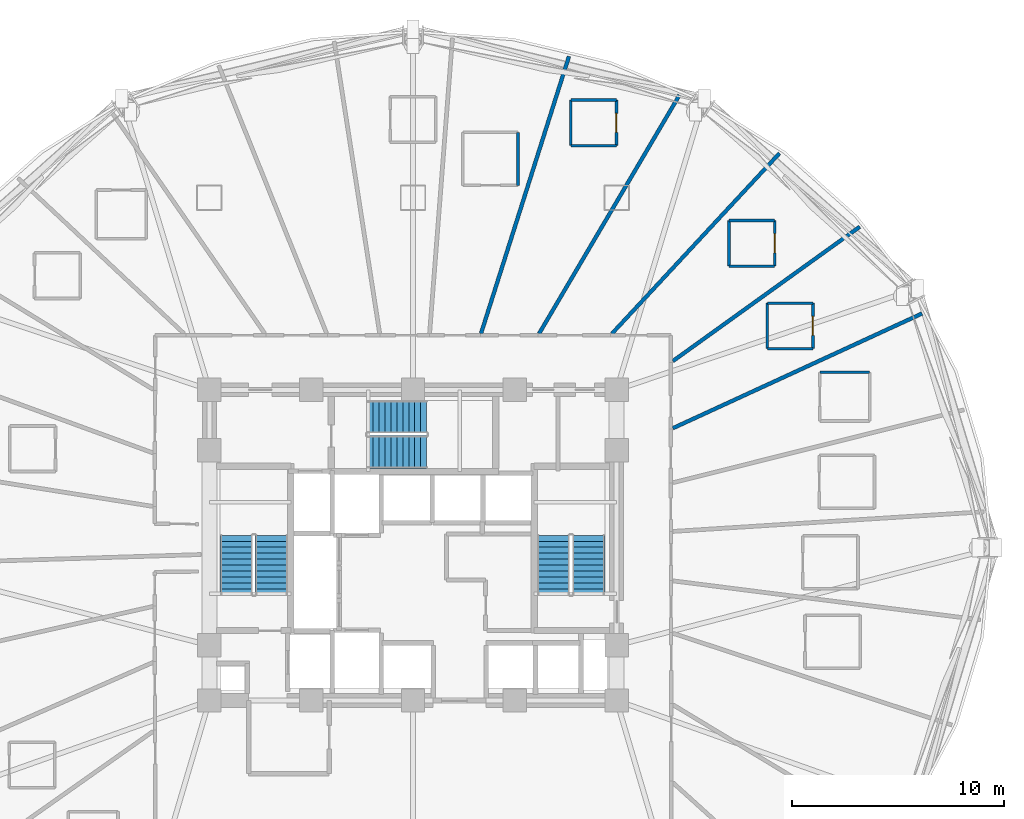
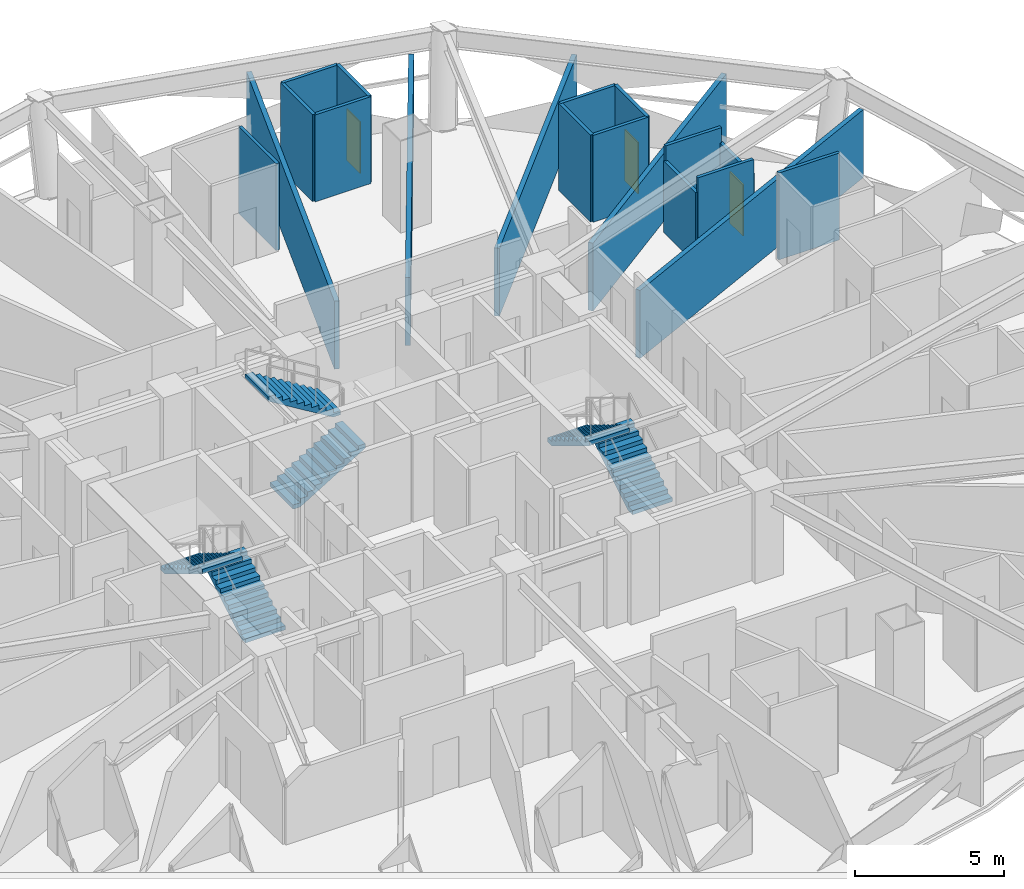
# One storey, part 9 of 13: 19 walls, 6 stair flights, 3 doors, 3 openings, 3 elements without a shape of their own.
"""IFC4 building model written with IfcOpenShell, lengths in metres."""

from ifc_helpers import new_model, si_unit, direction, frame, frame_2d, origin, place, context, subcontext, project, spatial, polyline, rectangle, outline, extrude, material, layer, layer_set, type_object, element, fill, aggregate, save


model = new_model("IFC4")

# Units and contexts
model_context = context("Model", 3, precision=1e-05, world=origin(), true_north=direction((0.0, 1.0)))
body_context = subcontext(model_context, "Body", "Model", "MODEL_VIEW")
ifc_project = project(units=[si_unit("LENGTHUNIT", "METRE"), si_unit("AREAUNIT", "SQUARE_METRE"), si_unit("VOLUMEUNIT", "CUBIC_METRE"), si_unit("PLANEANGLEUNIT", "RADIAN"), si_unit("MASSUNIT", "GRAM", prefix="KILO")], contexts=[model_context])

# Site, building, storey
site_placement = place(None, origin())
site = spatial("IfcSite", under=ifc_project, at=site_placement, CompositionType="ELEMENT")
building_placement = place(site_placement, origin())
building = spatial("IfcBuilding", under=site, at=building_placement, Name="Vantalir Tower", CompositionType="ELEMENT")
storey_placement = place(building_placement, frame((0.0, 0.0, 53.25)))
storey = spatial("IfcBuildingStorey", under=building, at=storey_placement, Name="L12", CompositionType="ELEMENT", Elevation=53.25)

# Walls
ifc_material_1 = material(Name="Moisture-resistant en-suite partition", Category="gypsum")
ifc_layer_1 = layer(ifc_material_1, 0.125)
ifc_layer_set_1 = layer_set([ifc_layer_1], Name="Moisture-resistant en-suite partition")
wall_type_1 = type_object("IfcWallType", Name="WL-BATH-125", PredefinedType="PARTITIONING", material=ifc_layer_set_1)
wall_1_placement = place(storey_placement, frame((50.681884765625, 33.278076171875, 0.0), z_axis=(0.0, 0.0, 1.0), x_axis=(1.0, 0.0, 0.0)))
element("IfcWall", 1, at=wall_1_placement, inside=storey, type_object=wall_type_1, Name="L12 En-suite 02 North Wall", PredefinedType="PARTITIONING", context=body_context, shape_type="SweptSolid", body=[
    extrude(rectangle(XDim=2.35009765625, YDim=0.125, at=frame_2d((1.175048828125, 0.0))), origin(), (0.0, 0.0, 1.0), 3.550048828125),
])
for number, where, z_axis, x_axis, name in (
    (2, (48.2080078125, 34.387939453125, 0.0), (0.0, 0.0, 1.0), (1.0, 0.0, 0.0), "L12 En-suite 03 South Wall"),
    (3, (48.2080078125, 36.5380859375, 0.0), (0.0, 0.0, 1.0), (1.0, 0.0, 0.0), "L12 En-suite 03 North Wall"),
):
    element("IfcWall", number, at=place(storey_placement, frame(where, z_axis=z_axis, x_axis=x_axis)), inside=storey, type_object=wall_type_1, Name=name, PredefinedType="PARTITIONING", context=body_context, shape_type="SweptSolid", body=[
        extrude(rectangle(XDim=2.14990234375, YDim=0.125, at=frame_2d((1.074951171875, 0.0))), origin(), (0.0, 0.0, 1.0), 3.550048828125),
    ])
wall_2_placement = place(storey_placement, frame((48.2080078125, 34.387939453125, 0.0), z_axis=(0.0, 0.0, 1.0), x_axis=(0.0, 1.0, 0.0)))
element("IfcWall", 4, at=wall_2_placement, inside=storey, type_object=wall_type_1, Name="L12 En-suite 03 West Wall", PredefinedType="PARTITIONING", context=body_context, shape_type="SweptSolid", body=[
    extrude(rectangle(XDim=2.150146484375, YDim=0.125, at=frame_2d((1.0751953125, 0.0))), origin(), (0.0, 0.0, 1.0), 2.927978515625),
])

# Wall, opening, door
wall_3_placement = place(storey_placement, frame((50.35791015625, 34.387939453125, 0.0), z_axis=(0.0, 0.0, 1.0), x_axis=(0.0, 1.0, 0.0)))
wall_3 = element("IfcWall", 5, at=wall_3_placement, inside=storey, type_object=wall_type_1, Name="L12 En-suite 03 East Wall", PredefinedType="PARTITIONING", context=body_context, shape_type="SweptSolid", body=[
    extrude(rectangle(XDim=2.150146484375, YDim=0.125, at=frame_2d((1.0751953125, 0.0))), origin(), (0.0, 0.0, 1.0), 2.927978515625),
])
opening_1_placement = place(wall_3_placement, frame((0.625, 0.0, 0.0)))
opening_1 = element("IfcOpeningElement", 6, at=opening_1_placement, cuts=wall_3, Name="Opening D-WC", PredefinedType="OPENING", context=body_context, shape_type="SweptSolid", body=[
    extrude(rectangle(XDim=0.89990234375, YDim=2.10009765625, at=frame_2d((0.449951171875, 1.050048828125))), frame((0.0, 0.072509765625, 0.0), z_axis=(0.0, -1.0, 0.0), x_axis=(1.0, 0.0, 0.0)), (0.0, 0.0, 1.0), 0.14501953125),
])
ifc_material_2 = material(Name="Moisture-resistant hardwood door", Category="wood")
door_type = type_object("IfcDoorType", Name="DR-ENSUITE-900", OperationType="NOTDEFINED", PredefinedType="DOOR", material=ifc_material_2)
door_1_placement = place(opening_1_placement, origin())
door_1 = element("IfcDoor", 7, at=door_1_placement, inside=storey, type_object=door_type, Name="L12 En-suite 03 Door", OperationType="SINGLE_SWING_RIGHT", OverallHeight=2.10009765625, OverallWidth=0.89990234375, PredefinedType="DOOR", context=body_context, shape_type="SweptSolid", body=[
    extrude(rectangle(XDim=0.89990234375, YDim=2.10009765625, at=frame_2d((0.449951171875, 1.050048828125))), frame((0.0, 0.02490234375, 0.0), z_axis=(0.0, -1.0, 0.0), x_axis=(1.0, 0.0, 0.0)), (0.0, 0.0, 1.0), 0.050048828125),
])
fill(opening_1, door_1)

# Walls
for number, where, z_axis, x_axis, name in (
    (8, (46.39794921875, 38.284912109375, 0.0), (0.0, 0.0, 1.0), (1.0, 0.0, 0.0), "L12 En-suite 04 South Wall"),
    (9, (46.39794921875, 40.43505859375, 0.0), (0.0, 0.0, 1.0), (1.0, 0.0, 0.0), "L12 En-suite 04 North Wall"),
    (10, (46.39794921875, 38.284912109375, 0.0), (0.0, 0.0, 1.0), (0.0, 1.0, 0.0), "L12 En-suite 04 West Wall"),
):
    element("IfcWall", number, at=place(storey_placement, frame(where, z_axis=z_axis, x_axis=x_axis)), inside=storey, type_object=wall_type_1, Name=name, PredefinedType="PARTITIONING", context=body_context, shape_type="SweptSolid", body=[
        extrude(rectangle(XDim=2.150146484375, YDim=0.125, at=frame_2d((1.0751953125, 0.0))), origin(), (0.0, 0.0, 1.0), 3.550048828125),
    ])

# Wall, opening, door
wall_4_placement = place(storey_placement, frame((48.548095703125, 38.284912109375, 0.0), z_axis=(0.0, 0.0, 1.0), x_axis=(0.0, 1.0, 0.0)))
wall_4 = element("IfcWall", 11, at=wall_4_placement, inside=storey, type_object=wall_type_1, Name="L12 En-suite 04 East Wall", PredefinedType="PARTITIONING", context=body_context, shape_type="SweptSolid", body=[
    extrude(rectangle(XDim=2.150146484375, YDim=0.125, at=frame_2d((1.0751953125, 0.0))), origin(), (0.0, 0.0, 1.0), 3.550048828125),
])
opening_2_placement = place(wall_4_placement, frame((0.625, 0.0, 0.0)))
opening_2 = element("IfcOpeningElement", 12, at=opening_2_placement, cuts=wall_4, Name="Opening D-WC", PredefinedType="OPENING", context=body_context, shape_type="SweptSolid", body=[
    extrude(rectangle(XDim=0.89990234375, YDim=2.10009765625, at=frame_2d((0.449951171875, 1.050048828125))), frame((0.0, 0.072509765625, 0.0), z_axis=(0.0, -1.0, 0.0), x_axis=(1.0, 0.0, 0.0)), (0.0, 0.0, 1.0), 0.14501953125),
])
door_2_placement = place(opening_2_placement, origin())
door_2 = element("IfcDoor", 13, at=door_2_placement, inside=storey, type_object=door_type, Name="L12 En-suite 04 Door", OperationType="SINGLE_SWING_LEFT", OverallHeight=2.10009765625, OverallWidth=0.89990234375, PredefinedType="DOOR", context=body_context, shape_type="SweptSolid", body=[
    extrude(rectangle(XDim=0.89990234375, YDim=2.10009765625, at=frame_2d((0.449951171875, 1.050048828125))), frame((0.0, 0.02490234375, 0.0), z_axis=(0.0, -1.0, 0.0), x_axis=(1.0, 0.0, 0.0)), (0.0, 0.0, 1.0), 0.050048828125),
])
fill(opening_2, door_2)

# Walls
for number, where, z_axis, x_axis, name in (
    (14, (38.94091796875, 43.964111328125, 0.0), (0.0, 0.0, 1.0), (1.0, 0.0, 0.0), "L12 En-suite 06 South Wall"),
    (15, (38.94091796875, 46.114013671875, 0.0), (0.0, 0.0, 1.0), (1.0, 0.0, 0.0), "L12 En-suite 06 North Wall"),
):
    element("IfcWall", number, at=place(storey_placement, frame(where, z_axis=z_axis, x_axis=x_axis)), inside=storey, type_object=wall_type_1, Name=name, PredefinedType="PARTITIONING", context=body_context, shape_type="SweptSolid", body=[
        extrude(rectangle(XDim=2.150146484375, YDim=0.125, at=frame_2d((1.0751953125, 0.0))), origin(), (0.0, 0.0, 1.0), 3.550048828125),
    ])
wall_5_placement = place(storey_placement, frame((38.94091796875, 43.964111328125, 0.0), z_axis=(0.0, 0.0, 1.0), x_axis=(0.0, 1.0, 0.0)))
element("IfcWall", 16, at=wall_5_placement, inside=storey, type_object=wall_type_1, Name="L12 En-suite 06 West Wall", PredefinedType="PARTITIONING", context=body_context, shape_type="SweptSolid", body=[
    extrude(rectangle(XDim=2.14990234375, YDim=0.125, at=frame_2d((1.074951171875, 0.0))), origin(), (0.0, 0.0, 1.0), 3.550048828125),
])

# Wall, opening, door
wall_6_placement = place(storey_placement, frame((41.091064453125, 43.964111328125, 0.0), z_axis=(0.0, 0.0, 1.0), x_axis=(0.0, 1.0, 0.0)))
wall_6 = element("IfcWall", 17, at=wall_6_placement, inside=storey, type_object=wall_type_1, Name="L12 En-suite 06 East Wall", PredefinedType="PARTITIONING", context=body_context, shape_type="SweptSolid", body=[
    extrude(rectangle(XDim=2.14990234375, YDim=0.125, at=frame_2d((1.074951171875, 0.0))), origin(), (0.0, 0.0, 1.0), 3.550048828125),
])
opening_3_placement = place(wall_6_placement, frame((0.625, 0.0, 0.0)))
opening_3 = element("IfcOpeningElement", 18, at=opening_3_placement, cuts=wall_6, Name="Opening D-WC", PredefinedType="OPENING", context=body_context, shape_type="SweptSolid", body=[
    extrude(rectangle(XDim=0.89990234375, YDim=2.10009765625, at=frame_2d((0.449951171875, 1.050048828125))), frame((0.0, 0.072509765625, 0.0), z_axis=(0.0, -1.0, 0.0), x_axis=(1.0, 0.0, 0.0)), (0.0, 0.0, 1.0), 0.14501953125),
])
door_3_placement = place(opening_3_placement, origin())
door_3 = element("IfcDoor", 19, at=door_3_placement, inside=storey, type_object=door_type, Name="L12 En-suite 06 Door", OperationType="SINGLE_SWING_LEFT", OverallHeight=2.10009765625, OverallWidth=0.89990234375, PredefinedType="DOOR", context=body_context, shape_type="SweptSolid", body=[
    extrude(rectangle(XDim=0.89990234375, YDim=2.10009765625, at=frame_2d((0.449951171875, 1.050048828125))), frame((0.0, 0.02490234375, 0.0), z_axis=(0.0, -1.0, 0.0), x_axis=(1.0, 0.0, 0.0)), (0.0, 0.0, 1.0), 0.050048828125),
])
fill(opening_3, door_3)

# Walls
wall_7_placement = place(storey_placement, frame((36.451904296875, 42.091064453125, 0.0), z_axis=(0.0, 0.0, 1.0), x_axis=(0.0, 1.0, 0.0)))
element("IfcWall", 20, at=wall_7_placement, inside=storey, type_object=wall_type_1, Name="L12 En-suite 07 East Wall", PredefinedType="PARTITIONING", context=body_context, shape_type="SweptSolid", body=[
    extrude(rectangle(XDim=2.5, YDim=0.125, at=frame_2d((1.25, 0.0))), origin(), (0.0, 0.0, 1.0), 3.550048828125),
])
ifc_material_3 = material(Name="Twin-stud acoustic fire-rated gypsum partition", Category="gypsum")
ifc_layer_2 = layer(ifc_material_3, 0.179931640625)
ifc_layer_set_2 = layer_set([ifc_layer_2], Name="Twin-stud acoustic fire-rated gypsum partition")
wall_type_2 = type_object("IfcWallType", Name="WL-GUEST-180", PredefinedType="PARTITIONING", material=ifc_layer_set_2)
wall_8_placement = place(storey_placement, frame((43.7529296875, 30.639892578125, 0.0), z_axis=(0.0, 0.0, 1.0), x_axis=(0.908354532473, 0.418200960466, 0.0)))
element("IfcWall", 21, at=wall_8_placement, inside=storey, type_object=wall_type_2, Name="L12 Radial Suite Partition 03", PredefinedType="PARTITIONING", context=body_context, shape_type="SweptSolid", body=[
    extrude(rectangle(XDim=12.934326171875, YDim=0.179931640625, at=frame_2d((6.46728515625, 0.0))), origin(), (0.0, 0.0, 1.0), 2.77490234375),
])
wall_9_placement = place(storey_placement, frame((43.7529296875, 33.805908203125, 0.0), z_axis=(0.0, 0.0, 1.0), x_axis=(0.812000044836, 0.583657371397, 0.0)))
element("IfcWall", 22, at=wall_9_placement, inside=storey, type_object=wall_type_2, Name="L12 Radial Suite Partition 04", PredefinedType="PARTITIONING", context=body_context, shape_type="SweptSolid", body=[
    extrude(rectangle(XDim=10.852294921875, YDim=0.179931640625, at=frame_2d((5.42626953125, 0.0))), origin(), (0.0, 0.0, 1.0), 2.77490234375),
])
wall_10_placement = place(storey_placement, frame((40.882080078125, 35.10302734375, 0.0), z_axis=(0.0, 0.0, 1.0), x_axis=(0.680551186201, 0.732700541122, 0.0)))
element("IfcWall", 23, at=wall_10_placement, inside=storey, type_object=wall_type_2, Name="L12 Radial Suite Partition 05", PredefinedType="PARTITIONING", context=body_context, shape_type="SweptSolid", body=[
    extrude(rectangle(XDim=11.600830078125, YDim=0.179931640625, at=frame_2d((5.80029296875, 0.0))), origin(), (0.0, 0.0, 1.0), 2.77490234375),
])
wall_11_placement = place(storey_placement, frame((37.445068359375, 35.10302734375, 0.0), z_axis=(0.0, 0.0, 1.0), x_axis=(0.507217216193, 0.861818249747, 0.0)))
element("IfcWall", 24, at=wall_11_placement, inside=storey, type_object=wall_type_2, Name="L12 Radial Suite Partition 06", PredefinedType="PARTITIONING", context=body_context, shape_type="SweptSolid", body=[
    extrude(rectangle(XDim=13.045654296875, YDim=0.179931640625, at=frame_2d((6.52294921875, 0.0))), origin(), (0.0, 0.0, 1.0), 2.77490234375),
])
wall_12_placement = place(storey_placement, frame((34.7060546875, 35.10302734375, 0.0), z_axis=(0.0, 0.0, 1.0), x_axis=(0.302538571893, 0.953137142555, 0.0)))
element("IfcWall", 25, at=wall_12_placement, inside=storey, type_object=wall_type_2, Name="L12 Radial Suite Partition 07", PredefinedType="PARTITIONING", context=body_context, shape_type="SweptSolid", body=[
    extrude(rectangle(XDim=13.713623046875, YDim=0.179931640625, at=frame_2d((6.85693359375, 0.0))), origin(), (0.0, 0.0, 1.0), 2.77490234375),
])

# Stair, stair flights
ifc_material_4 = material(Name="Concrete C40/50", Category="concrete")
stair_type = type_object("IfcStairType", Name="STR-CORE-1450", PredefinedType="HALF_TURN_STAIR", material=ifc_material_4)
stair_1_placement = place(storey_placement, origin())
stair_1 = element("IfcStair", 26, at=stair_1_placement, inside=storey, type_object=stair_type, Name="L12 Core Exit Stair 1", PredefinedType="HALF_TURN_STAIR")
stair_flight_type = type_object("IfcStairFlightType", Name="FLT-CORE-1450", PredefinedType="STRAIGHT", material=ifc_material_4)
stair_flight_1_placement = place(storey_placement, frame((24.830078125, 22.7900390625, 0.0), z_axis=(0.0, 0.0, 1.0), x_axis=(0.0, 1.0, 0.0)))
stair_flight_1 = element("IfcStairFlight", 27, at=stair_flight_1_placement, type_object=stair_flight_type, Name="ST1 flight 1", NumberOfRisers=11, NumberOfTreads=10, PredefinedType="STRAIGHT", RiserHeight=0.170454545, TreadLength=0.28, context=body_context, shape_type="SweptSolid", body=[
    extrude(outline(polyline([(0.0, 0.0), (0.0, 0.17041015625), (0.280029296875, 0.17041015625), (0.280029296875, 0.3408203125), (0.56005859375, 0.3408203125), (0.56005859375, 0.511474609375), (0.840087890625, 0.511474609375), (0.840087890625, 0.681884765625), (1.1201171875, 0.681884765625), (1.1201171875, 0.852294921875), (1.39990234375, 0.852294921875), (1.39990234375, 1.022705078125), (1.679931640625, 1.022705078125), (1.679931640625, 1.193115234375), (1.9599609375, 1.193115234375), (1.9599609375, 1.363525390625), (2.239990234375, 1.363525390625), (2.239990234375, 1.5341796875), (2.52001953125, 1.5341796875), (2.52001953125, 1.70458984375), (2.800048828125, 1.70458984375), (2.800048828125, 1.875), (2.800048828125, 1.529052734375), (0.288330078125, 0.0), (0.0, 0.0)])), frame((0.0, 0.77001953125, 0.0), z_axis=(0.0, -1.0, 0.0), x_axis=(1.0, 0.0, 0.0)), (0.0, 0.0, 1.0), 1.5400390625),
])
stair_flight_2_placement = place(storey_placement, frame((23.169921875, 25.590087890625, 1.875), z_axis=(0.0, 0.0, 1.0), x_axis=(0.0, -1.0, 0.0)))
stair_flight_2 = element("IfcStairFlight", 28, at=stair_flight_2_placement, type_object=stair_flight_type, Name="ST1 flight 2", NumberOfRisers=11, NumberOfTreads=10, PredefinedType="STRAIGHT", RiserHeight=0.170454545, TreadLength=0.28, context=body_context, shape_type="SweptSolid", body=[
    extrude(outline(polyline([(0.0, 0.0), (0.0, 0.17041015625), (0.280029296875, 0.17041015625), (0.280029296875, 0.3408203125), (0.56005859375, 0.3408203125), (0.56005859375, 0.511474609375), (0.840087890625, 0.511474609375), (0.840087890625, 0.681884765625), (1.1201171875, 0.681884765625), (1.1201171875, 0.852294921875), (1.39990234375, 0.852294921875), (1.39990234375, 1.022705078125), (1.679931640625, 1.022705078125), (1.679931640625, 1.193115234375), (1.9599609375, 1.193115234375), (1.9599609375, 1.363525390625), (2.239990234375, 1.363525390625), (2.239990234375, 1.5341796875), (2.52001953125, 1.5341796875), (2.52001953125, 1.70458984375), (2.800048828125, 1.70458984375), (2.800048828125, 1.875), (2.800048828125, 1.529052734375), (0.288330078125, 0.0), (0.0, 0.0)])), frame((0.0, 0.77001953125, 0.0), z_axis=(0.0, -1.0, 0.0), x_axis=(1.0, 0.0, 0.0)), (0.0, 0.0, 1.0), 1.5400390625),
])
aggregate(stair_1, [stair_flight_1, stair_flight_2])

stair_2_placement = place(storey_placement, origin())
stair_2 = element("IfcStair", 29, at=stair_2_placement, inside=storey, type_object=stair_type, Name="L12 Core Exit Stair 2", PredefinedType="HALF_TURN_STAIR")
stair_flight_3_placement = place(storey_placement, frame((39.780029296875, 22.7900390625, 0.0), z_axis=(0.0, 0.0, 1.0), x_axis=(0.0, 1.0, 0.0)))
stair_flight_3 = element("IfcStairFlight", 30, at=stair_flight_3_placement, type_object=stair_flight_type, Name="ST2 flight 1", NumberOfRisers=11, NumberOfTreads=10, PredefinedType="STRAIGHT", RiserHeight=0.170454545, TreadLength=0.28, context=body_context, shape_type="SweptSolid", body=[
    extrude(outline(polyline([(0.0, 0.0), (0.0, 0.17041015625), (0.280029296875, 0.17041015625), (0.280029296875, 0.3408203125), (0.56005859375, 0.3408203125), (0.56005859375, 0.511474609375), (0.840087890625, 0.511474609375), (0.840087890625, 0.681884765625), (1.1201171875, 0.681884765625), (1.1201171875, 0.852294921875), (1.39990234375, 0.852294921875), (1.39990234375, 1.022705078125), (1.679931640625, 1.022705078125), (1.679931640625, 1.193115234375), (1.9599609375, 1.193115234375), (1.9599609375, 1.363525390625), (2.239990234375, 1.363525390625), (2.239990234375, 1.5341796875), (2.52001953125, 1.5341796875), (2.52001953125, 1.70458984375), (2.800048828125, 1.70458984375), (2.800048828125, 1.875), (2.800048828125, 1.529052734375), (0.288330078125, 0.0), (0.0, 0.0)])), frame((0.0, 0.77001953125, 0.0), z_axis=(0.0, -1.0, 0.0), x_axis=(1.0, 0.0, 0.0)), (0.0, 0.0, 1.0), 1.5400390625),
])
stair_flight_4_placement = place(storey_placement, frame((38.1201171875, 25.590087890625, 1.875), z_axis=(0.0, 0.0, 1.0), x_axis=(0.0, -1.0, 0.0)))
stair_flight_4 = element("IfcStairFlight", 31, at=stair_flight_4_placement, type_object=stair_flight_type, Name="ST2 flight 2", NumberOfRisers=11, NumberOfTreads=10, PredefinedType="STRAIGHT", RiserHeight=0.170454545, TreadLength=0.28, context=body_context, shape_type="SweptSolid", body=[
    extrude(outline(polyline([(0.0, 0.0), (0.0, 0.17041015625), (0.280029296875, 0.17041015625), (0.280029296875, 0.3408203125), (0.56005859375, 0.3408203125), (0.56005859375, 0.511474609375), (0.840087890625, 0.511474609375), (0.840087890625, 0.681884765625), (1.1201171875, 0.681884765625), (1.1201171875, 0.852294921875), (1.39990234375, 0.852294921875), (1.39990234375, 1.022705078125), (1.679931640625, 1.022705078125), (1.679931640625, 1.193115234375), (1.9599609375, 1.193115234375), (1.9599609375, 1.363525390625), (2.239990234375, 1.363525390625), (2.239990234375, 1.5341796875), (2.52001953125, 1.5341796875), (2.52001953125, 1.70458984375), (2.800048828125, 1.70458984375), (2.800048828125, 1.875), (2.800048828125, 1.529052734375), (0.288330078125, 0.0), (0.0, 0.0)])), frame((0.0, 0.77001953125, 0.0), z_axis=(0.0, -1.0, 0.0), x_axis=(1.0, 0.0, 0.0)), (0.0, 0.0, 1.0), 1.5400390625),
])
aggregate(stair_2, [stair_flight_3, stair_flight_4])

stair_3_placement = place(storey_placement, origin())
stair_3 = element("IfcStair", 32, at=stair_3_placement, inside=storey, type_object=stair_type, Name="L12 Core Exit Stair 3", PredefinedType="HALF_TURN_STAIR")
stair_flight_5_placement = place(storey_placement, frame((29.340087890625, 29.52001953125, 0.0), z_axis=(0.0, 0.0, 1.0), x_axis=(1.0, 0.0, 0.0)))
stair_flight_5 = element("IfcStairFlight", 33, at=stair_flight_5_placement, type_object=stair_flight_type, Name="ST3 flight 1", NumberOfRisers=11, NumberOfTreads=10, PredefinedType="STRAIGHT", RiserHeight=0.170454545, TreadLength=0.28, context=body_context, shape_type="SweptSolid", body=[
    extrude(outline(polyline([(0.0, 0.0), (0.0, 0.17041015625), (0.280029296875, 0.17041015625), (0.280029296875, 0.3408203125), (0.56005859375, 0.3408203125), (0.56005859375, 0.511474609375), (0.840087890625, 0.511474609375), (0.840087890625, 0.681884765625), (1.1201171875, 0.681884765625), (1.1201171875, 0.852294921875), (1.39990234375, 0.852294921875), (1.39990234375, 1.022705078125), (1.679931640625, 1.022705078125), (1.679931640625, 1.193115234375), (1.9599609375, 1.193115234375), (1.9599609375, 1.363525390625), (2.239990234375, 1.363525390625), (2.239990234375, 1.5341796875), (2.52001953125, 1.5341796875), (2.52001953125, 1.70458984375), (2.800048828125, 1.70458984375), (2.800048828125, 1.875), (2.800048828125, 1.529052734375), (0.288330078125, 0.0), (0.0, 0.0)])), frame((0.0, 0.77001953125, 0.0), z_axis=(0.0, -1.0, 0.0), x_axis=(1.0, 0.0, 0.0)), (0.0, 0.0, 1.0), 1.5400390625),
])
stair_flight_6_placement = place(storey_placement, frame((32.139892578125, 31.179931640625, 1.875), z_axis=(0.0, 0.0, 1.0), x_axis=(-1.0, 0.0, 0.0)))
stair_flight_6 = element("IfcStairFlight", 34, at=stair_flight_6_placement, type_object=stair_flight_type, Name="ST3 flight 2", NumberOfRisers=11, NumberOfTreads=10, PredefinedType="STRAIGHT", RiserHeight=0.170454545, TreadLength=0.28, context=body_context, shape_type="SweptSolid", body=[
    extrude(outline(polyline([(0.0, 0.0), (0.0, 0.17041015625), (0.280029296875, 0.17041015625), (0.280029296875, 0.3408203125), (0.56005859375, 0.3408203125), (0.56005859375, 0.511474609375), (0.840087890625, 0.511474609375), (0.840087890625, 0.681884765625), (1.1201171875, 0.681884765625), (1.1201171875, 0.852294921875), (1.39990234375, 0.852294921875), (1.39990234375, 1.022705078125), (1.679931640625, 1.022705078125), (1.679931640625, 1.193115234375), (1.9599609375, 1.193115234375), (1.9599609375, 1.363525390625), (2.239990234375, 1.363525390625), (2.239990234375, 1.5341796875), (2.52001953125, 1.5341796875), (2.52001953125, 1.70458984375), (2.800048828125, 1.70458984375), (2.800048828125, 1.875), (2.800048828125, 1.529052734375), (0.288330078125, 0.0), (0.0, 0.0)])), frame((0.0, 0.77001953125, 0.0), z_axis=(0.0, -1.0, 0.0), x_axis=(1.0, 0.0, 0.0)), (0.0, 0.0, 1.0), 1.5400390625),
])
aggregate(stair_3, [stair_flight_5, stair_flight_6])

save(model, "model.ifc")
